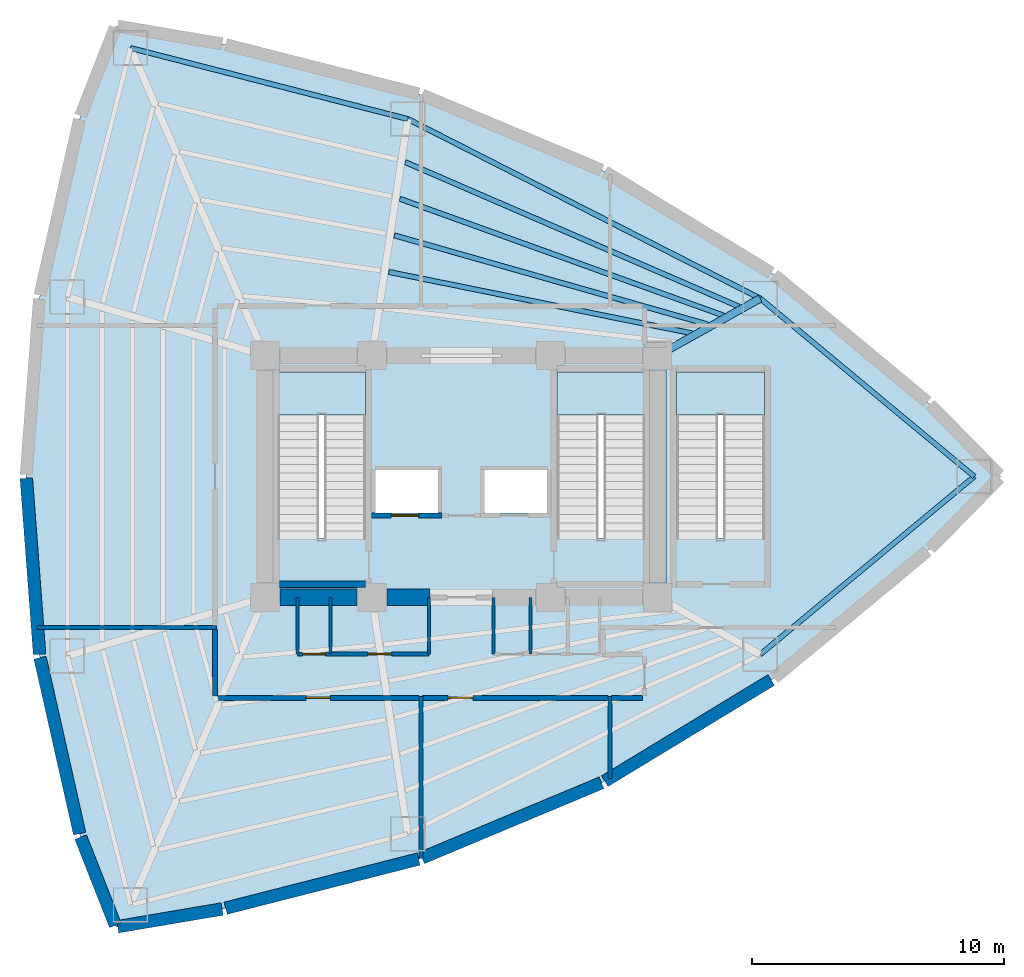
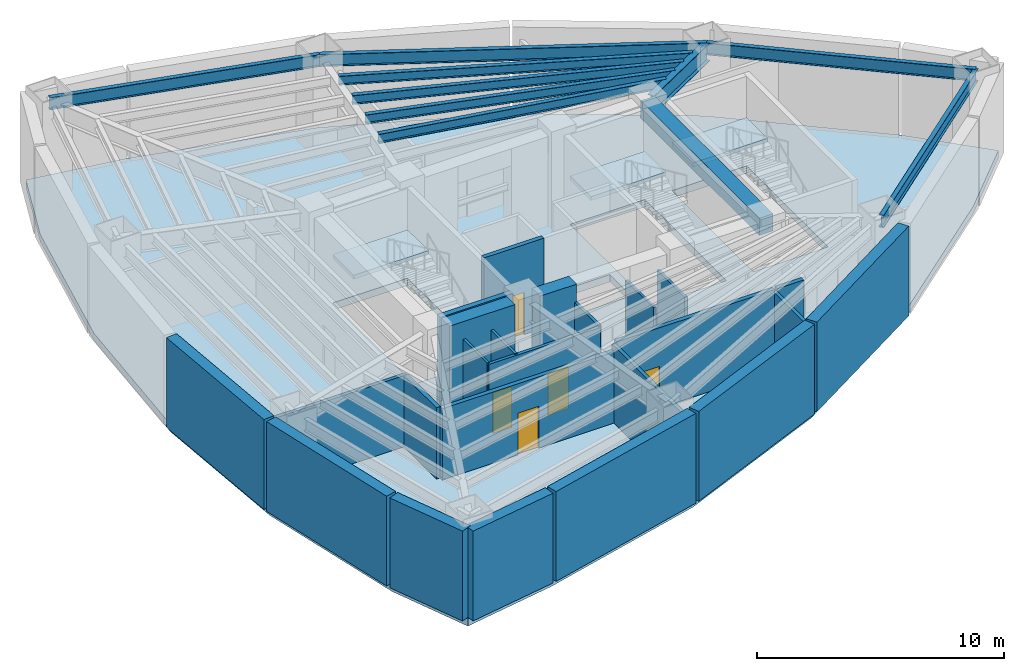
# One storey, part 2 of 5: 24 walls, 10 beams, 5 doors, 4 slabs, 5 openings, 3 elements without a shape of their own.
"""IFC4 building model written with IfcOpenShell, lengths in metres."""

from ifc_helpers import new_model, si_unit, direction, frame, frame_2d, origin, origin_2d, place, context, subcontext, project, spatial, polyline, rectangle, i_section, outline, extrude, material, layer, layer_set, material_profile, profile_set, type_object, element, fill, aggregate, save


model = new_model("IFC4")

# Units and contexts
model_context = context("Model", 3, precision=1e-05, world=origin(), true_north=direction((0.0, 1.0)))
body_context = subcontext(model_context, "Body", "Model", "MODEL_VIEW")
ifc_project = project(units=[si_unit("LENGTHUNIT", "METRE"), si_unit("AREAUNIT", "SQUARE_METRE"), si_unit("VOLUMEUNIT", "CUBIC_METRE"), si_unit("PLANEANGLEUNIT", "RADIAN"), si_unit("MASSUNIT", "GRAM", prefix="KILO")], contexts=[model_context])

# Site, building, storey
site_placement = place(None, origin())
site = spatial("IfcSite", under=ifc_project, at=site_placement, CompositionType="ELEMENT")
building_placement = place(site_placement, origin())
building = spatial("IfcBuilding", under=site, at=building_placement, Name="Menara Vayukalpa", CompositionType="ELEMENT")
storey_placement = place(building_placement, frame((0.0, 0.0, -4.800048828125)))
storey = spatial("IfcBuildingStorey", under=building, at=storey_placement, Name="B01", CompositionType="ELEMENT", Elevation=-4.800048828125)

# Beams
ifc_material_1 = material(Name="Concrete C60/75", Category="concrete")
ifc_material_profile_1 = material_profile(ifc_material_1, rectangle(XDim=0.64990234375, YDim=0.85009765625, at=origin_2d()), Name="RC 650x850")
ifc_profile_set_1 = profile_set([ifc_material_profile_1], Name="Concrete C60/75")
beam_type_1 = type_object("IfcBeamType", Name="BM-CB1", PredefinedType="BEAM", material=ifc_profile_set_1)
beam_1_placement = place(storey_placement, frame((33.39990234375, 17.199951171875, 4.01513671875), z_axis=(0.0, 1.0, 0.0), x_axis=(-1.0, 0.0, 0.0)))
element("IfcBeam", 1, at=beam_1_placement, inside=storey, type_object=beam_type_1, Name="B01 Core Tie Beam CBR8", PredefinedType="BEAM", context=body_context, shape_type="SweptSolid", body=[
    extrude(rectangle(XDim=0.64990234375, YDim=0.85009765625, at=origin_2d()), origin(), (0.0, 0.0, 1.0), 9.60009765625),
])
ifc_material_2 = material(Name="Steel S355", Category="steel")
ifc_material_profile_2 = material_profile(ifc_material_2, i_section(OverallWidth=0.300048828125, OverallDepth=0.89990234375, WebThickness=0.01611328125, FlangeThickness=0.028076171875, at=origin_2d()), Name="WF 900x300x16x28")
ifc_profile_set_2 = profile_set([ifc_material_profile_2], Name="Steel S355")
beam_type_2 = type_object("IfcBeamType", Name="BM-PG1", PredefinedType="BEAM", material=ifc_profile_set_2)
beam_2_placement = place(storey_placement, frame((33.618408203125, 26.921630859375, 3.989990234375), z_axis=(0.873472891879, 0.486872783335, 0.0), x_axis=(-0.486872783335, 0.873472891879, 0.0)))
element("IfcBeam", 2, at=beam_2_placement, inside=storey, type_object=beam_type_2, Name="B01 Primary Radial Girder RG02", PredefinedType="BEAM", context=body_context, shape_type="SweptSolid", body=[
    extrude(i_section(OverallWidth=0.300048828125, OverallDepth=0.89990234375, WebThickness=0.01611328125, FlangeThickness=0.028076171875, at=origin_2d()), origin(), (0.0, 0.0, 1.0), 4.414306640625),
])
ifc_material_3 = material(Name="Steel S355", Category="steel")
ifc_material_profile_3 = material_profile(ifc_material_3, i_section(OverallWidth=0.199951171875, OverallDepth=0.449951171875, WebThickness=0.009033203125, FlangeThickness=0.013916015625, at=origin_2d()), Name="WF 450x200x9x14")
ifc_profile_set_3 = profile_set([ifc_material_profile_3], Name="Steel S355")
beam_type_3 = type_object("IfcBeamType", Name="BM-SJ1", PredefinedType="JOIST", material=ifc_profile_set_3)
beam_3_placement = place(storey_placement, frame((34.7626953125, 27.686279296875, 4.215087890625), z_axis=(-0.980082096832, 0.198592757847, 0.0), x_axis=(-0.198592757847, -0.980082096832, 0.0)))
element("IfcBeam", 3, at=beam_3_placement, inside=storey, type_object=beam_type_3, Name="B01 Secondary Floor Joist SJ02-2", PredefinedType="JOIST", context=body_context, shape_type="SweptSolid", body=[
    extrude(i_section(OverallWidth=0.199951171875, OverallDepth=0.449951171875, WebThickness=0.009033203125, FlangeThickness=0.013916015625, at=origin_2d()), origin(), (0.0, 0.0, 1.0), 12.28125),
])
beam_4_placement = place(storey_placement, frame((35.3828125, 28.042724609375, 4.215087890625), z_axis=(-0.961920522013, 0.273329305656, 0.0), x_axis=(-0.273329305656, -0.961920522013, 0.0)))
element("IfcBeam", 4, at=beam_4_placement, inside=storey, type_object=beam_type_3, Name="B01 Secondary Floor Joist SJ02-3", PredefinedType="JOIST", context=body_context, shape_type="SweptSolid", body=[
    extrude(i_section(OverallWidth=0.199951171875, OverallDepth=0.449951171875, WebThickness=0.009033203125, FlangeThickness=0.013916015625, at=origin_2d()), origin(), (0.0, 0.0, 1.0), 12.93017578125),
])
beam_5_placement = place(storey_placement, frame((36.003173828125, 28.39794921875, 4.215087890625), z_axis=(-0.94065210614, 0.339372384284, 0.0), x_axis=(-0.339372384284, -0.94065210614, 0.0)))
element("IfcBeam", 5, at=beam_5_placement, inside=storey, type_object=beam_type_3, Name="B01 Secondary Floor Joist SJ02-4", PredefinedType="JOIST", context=body_context, shape_type="SweptSolid", body=[
    extrude(i_section(OverallWidth=0.199951171875, OverallDepth=0.449951171875, WebThickness=0.009033203125, FlangeThickness=0.013916015625, at=origin_2d()), origin(), (0.0, 0.0, 1.0), 13.649658203125),
])
beam_6_placement = place(storey_placement, frame((36.6240234375, 28.751708984375, 4.215087890625), z_axis=(-0.91768786967, 0.397302119125, 0.0), x_axis=(-0.397302119125, -0.91768786967, 0.0)))
element("IfcBeam", 6, at=beam_6_placement, inside=storey, type_object=beam_type_3, Name="B01 Secondary Floor Joist SJ02-5", PredefinedType="JOIST", context=body_context, shape_type="SweptSolid", body=[
    extrude(i_section(OverallWidth=0.199951171875, OverallDepth=0.449951171875, WebThickness=0.009033203125, FlangeThickness=0.013916015625, at=origin_2d()), origin(), (0.0, 0.0, 1.0), 14.43017578125),
])
ifc_material_4 = material(Name="Steel S355", Category="steel")
ifc_material_profile_4 = material_profile(ifc_material_4, i_section(OverallWidth=0.199951171875, OverallDepth=0.60009765625, WebThickness=0.010986328125, FlangeThickness=0.01708984375, at=origin_2d()), Name="WF 600x200x11x17")
ifc_profile_set_4 = profile_set([ifc_material_profile_4], Name="Steel S355")
beam_type_4 = type_object("IfcBeamType", Name="BM-SP1", PredefinedType="SPANDREL", material=ifc_profile_set_4)
beam_7_placement = place(storey_placement, frame((45.979248046875, 22.0, 4.14013671875), z_axis=(-0.768967992195, 0.639287280477, 0.0), x_axis=(-0.639287280477, -0.768967992195, 0.0)))
element("IfcBeam", 7, at=beam_7_placement, inside=storey, type_object=beam_type_4, Name="B01 Perimeter Spandrel Beam SP01", PredefinedType="SPANDREL", context=body_context, shape_type="SweptSolid", body=[
    extrude(i_section(OverallWidth=0.199951171875, OverallDepth=0.60009765625, WebThickness=0.010986328125, FlangeThickness=0.01708984375, at=origin_2d()), origin(), (0.0, 0.0, 1.0), 11.060546875),
])
beam_8_placement = place(storey_placement, frame((37.47412109375, 29.07080078125, 4.14013671875), z_axis=(-0.891101872915, 0.453803318726, 0.0), x_axis=(-0.453803318726, -0.891101872915, 0.0)))
element("IfcBeam", 8, at=beam_8_placement, inside=storey, type_object=beam_type_4, Name="B01 Perimeter Spandrel Beam SP02", PredefinedType="SPANDREL", context=body_context, shape_type="SweptSolid", body=[
    extrude(i_section(OverallWidth=0.199951171875, OverallDepth=0.60009765625, WebThickness=0.010986328125, FlangeThickness=0.01708984375, at=origin_2d()), origin(), (0.0, 0.0, 1.0), 15.709228515625),
])
beam_9_placement = place(storey_placement, frame((23.4755859375, 36.19970703125, 4.14013671875), z_axis=(-0.968770804637, 0.247957915953, 0.0), x_axis=(-0.247957915953, -0.968770804637, 0.0)))
element("IfcBeam", 9, at=beam_9_placement, inside=storey, type_object=beam_type_4, Name="B01 Perimeter Spandrel Beam SP03", PredefinedType="SPANDREL", context=body_context, shape_type="SweptSolid", body=[
    extrude(i_section(OverallWidth=0.199951171875, OverallDepth=0.60009765625, WebThickness=0.010986328125, FlangeThickness=0.01708984375, at=origin_2d()), origin(), (0.0, 0.0, 1.0), 11.3701171875),
])
beam_10_placement = place(storey_placement, frame((37.47412109375, 14.92919921875, 4.14013671875), z_axis=(0.768967992195, 0.639287280477, 0.0), x_axis=(-0.639287280477, 0.768967992195, 0.0)))
element("IfcBeam", 10, at=beam_10_placement, inside=storey, type_object=beam_type_4, Name="B01 Perimeter Spandrel Beam SP09", PredefinedType="SPANDREL", context=body_context, shape_type="SweptSolid", body=[
    extrude(i_section(OverallWidth=0.199951171875, OverallDepth=0.60009765625, WebThickness=0.010986328125, FlangeThickness=0.01708984375, at=origin_2d()), origin(), (0.0, 0.0, 1.0), 11.060546875),
])

# Slab
ifc_material_5 = material(Name="Concrete C45/55", Category="concrete")
ifc_layer_1 = layer(ifc_material_5, 0.360107421875)
ifc_layer_set_1 = layer_set([ifc_layer_1], Name="Concrete C45/55")
slab_type_1 = type_object("IfcSlabType", Name="SLB-FL360", PredefinedType="FLOOR", material=ifc_layer_set_1)
slab_1_placement = place(storey_placement, frame((0.0, 0.0, -0.35986328125)))
element("IfcSlab", 11, at=slab_1_placement, inside=storey, type_object=slab_type_1, Name="B01 Structural Floor Slab", PredefinedType="FLOOR", context=body_context, shape_type="SweptSolid", body=[
    extrude(outline(polyline([(44.17041015625, 19.088134765625), (47.029296875, 22.0), (44.17041015625, 24.911865234375), (37.97314453125, 30.051025390625), (31.2412109375, 34.140380859375), (23.974853515625, 37.179931640625), (16.173583984375, 39.169677734375), (11.885498046875, 39.8974609375), (10.4560546875, 36.2578125), (8.85205078125, 29.12890625), (8.3173828125, 22.0), (8.85205078125, 14.87109375), (10.4560546875, 7.7421875), (11.885498046875, 4.1025390625), (16.173583984375, 4.830322265625), (23.974853515625, 6.820068359375), (31.2412109375, 9.859619140625), (37.97314453125, 13.948974609375), (44.17041015625, 19.088134765625)]), holes=[polyline([(21.800048828125, 19.550048828125), (21.800048828125, 26.14990234375), (18.300048828125, 26.14990234375), (18.300048828125, 19.550048828125), (21.800048828125, 19.550048828125)]), polyline([(32.89990234375, 19.550048828125), (32.89990234375, 26.14990234375), (29.39990234375, 26.14990234375), (29.39990234375, 19.550048828125), (32.89990234375, 19.550048828125)]), polyline([(37.64990234375, 19.550048828125), (37.64990234375, 26.14990234375), (34.14990234375, 26.14990234375), (34.14990234375, 19.550048828125), (37.64990234375, 19.550048828125)]), polyline([(22.179931640625, 20.550048828125), (24.679931640625, 20.550048828125), (24.679931640625, 22.27001953125), (22.179931640625, 22.27001953125), (22.179931640625, 20.550048828125)]), polyline([(26.52001953125, 20.550048828125), (29.02001953125, 20.550048828125), (29.02001953125, 22.27001953125), (26.52001953125, 22.27001953125), (26.52001953125, 20.550048828125)])]), origin(), (0.0, 0.0, 1.0), 0.35986328125),
])

# Stair, slab
ifc_material_6 = material(Name="Precast Concrete C40/50", Category="concrete")
stair_type = type_object("IfcStairType", Name="STR-T01", PredefinedType="DOUBLE_RETURN_STAIR", material=ifc_material_6)
stair_1_placement = place(storey_placement, origin())
stair_1 = element("IfcStair", 12, at=stair_1_placement, inside=storey, type_object=stair_type, Name="B01 Core Exit Stair ST-1", PredefinedType="DOUBLE_RETURN_STAIR")
ifc_material_7 = material(Name="Precast Concrete C40/50", Category="concrete")
ifc_layer_2 = layer(ifc_material_7, 0.199951171875)
ifc_layer_set_2 = layer_set([ifc_layer_2], Name="Precast Concrete C40/50")
slab_type_2 = type_object("IfcSlabType", Name="SLB-LND200", PredefinedType="LANDING", material=ifc_layer_set_2)
slab_2_placement = place(storey_placement, frame((0.0, 0.0, 2.199951171875)))
slab_2 = element("IfcSlab", 13, at=slab_2_placement, type_object=slab_type_2, Name="ST-1 landing 1", PredefinedType="LANDING", context=body_context, shape_type="SweptSolid", body=[
    extrude(outline(polyline([(21.800048828125, 24.449951171875), (21.800048828125, 26.14990234375), (18.300048828125, 26.14990234375), (18.300048828125, 24.449951171875), (21.800048828125, 24.449951171875)])), origin(), (0.0, 0.0, 1.0), 0.2001953125),
])
aggregate(stair_1, [slab_2])

stair_2_placement = place(storey_placement, origin())
stair_2 = element("IfcStair", 14, at=stair_2_placement, inside=storey, type_object=stair_type, Name="B01 Core Exit Stair ST-2", PredefinedType="DOUBLE_RETURN_STAIR")
slab_3_placement = place(storey_placement, frame((0.0, 0.0, 2.199951171875)))
slab_3 = element("IfcSlab", 15, at=slab_3_placement, type_object=slab_type_2, Name="ST-2 landing 1", PredefinedType="LANDING", context=body_context, shape_type="SweptSolid", body=[
    extrude(outline(polyline([(32.89990234375, 24.449951171875), (32.89990234375, 26.14990234375), (29.39990234375, 26.14990234375), (29.39990234375, 24.449951171875), (32.89990234375, 24.449951171875)])), origin(), (0.0, 0.0, 1.0), 0.2001953125),
])
aggregate(stair_2, [slab_3])

stair_3_placement = place(storey_placement, origin())
stair_3 = element("IfcStair", 16, at=stair_3_placement, inside=storey, type_object=stair_type, Name="B01 Podium Exit Stair ST-3", PredefinedType="DOUBLE_RETURN_STAIR")
slab_4_placement = place(storey_placement, frame((0.0, 0.0, 2.199951171875)))
slab_4 = element("IfcSlab", 17, at=slab_4_placement, type_object=slab_type_2, Name="ST-3 landing 1", PredefinedType="LANDING", context=body_context, shape_type="SweptSolid", body=[
    extrude(outline(polyline([(37.64990234375, 24.449951171875), (37.64990234375, 26.14990234375), (34.14990234375, 26.14990234375), (34.14990234375, 24.449951171875), (37.64990234375, 24.449951171875)])), origin(), (0.0, 0.0, 1.0), 0.2001953125),
])
aggregate(stair_3, [slab_4])

# Walls
ifc_material_8 = material(Name="Concrete C80/95", Category="concrete")
ifc_layer_3 = layer(ifc_material_8, 0.64990234375)
ifc_layer_set_3 = layer_set([ifc_layer_3], Name="Concrete C80/95")
wall_type_1 = type_object("IfcWallType", Name="WAL-CW650", PredefinedType="SHEAR", material=ifc_layer_set_3)
wall_1_placement = place(storey_placement, frame((18.39501953125, 17.199951171875, 0.0), z_axis=(0.0, 0.0, 1.0), x_axis=(1.0, 0.0, 0.0)))
element("IfcWall", 18, at=wall_1_placement, inside=storey, type_object=wall_type_1, Name="B01 Buttressed Core Shear Wall CWS1", PredefinedType="SHEAR", context=body_context, shape_type="SweptSolid", body=[
    extrude(rectangle(XDim=3.06005859375, YDim=0.64990234375, at=frame_2d((1.530029296875, 0.0))), origin(), (0.0, 0.0, 1.0), 4.43994140625),
])
wall_2_placement = place(storey_placement, frame((22.64501953125, 17.199951171875, 0.0), z_axis=(0.0, 0.0, 1.0), x_axis=(1.0, 0.0, 0.0)))
element("IfcWall", 19, at=wall_2_placement, inside=storey, type_object=wall_type_1, Name="B01 Buttressed Core Shear Wall CWS2", PredefinedType="SHEAR", context=body_context, shape_type="SweptSolid", body=[
    extrude(rectangle(XDim=1.705078125, YDim=0.64990234375, at=frame_2d((0.8525390625, 0.0))), origin(), (0.0, 0.0, 1.0), 4.43994140625),
])
ifc_material_9 = material(Name="Lightweight Concrete Blockwork C16/20", Category="masonry")
ifc_layer_4 = layer(ifc_material_9, 0.159912109375)
ifc_layer_set_4 = layer_set([ifc_layer_4], Name="Lightweight Concrete Blockwork C16/20")
wall_type_2 = type_object("IfcWallType", Name="WAL-FR150", PredefinedType="PARTITIONING", material=ifc_layer_set_4)
wall_3_placement = place(storey_placement, frame((24.0, 6.819580078125, 0.0), z_axis=(0.0, 0.0, 1.0), x_axis=(0.0, 1.0, 0.0)))
element("IfcWall", 20, at=wall_3_placement, inside=storey, type_object=wall_type_2, Name="B01 Interior Partition IW-B01-RDIV01", PredefinedType="PARTITIONING", context=body_context, shape_type="SweptSolid", body=[
    extrude(rectangle(XDim=6.4404296875, YDim=0.159912109375, at=frame_2d((3.22021484375, 0.0))), origin(), (0.0, 0.0, 1.0), 3.820068359375),
])
wall_4_placement = place(storey_placement, frame((31.5, 10.0048828125, 0.0), z_axis=(0.0, 0.0, 1.0), x_axis=(0.0, 1.0, 0.0)))
element("IfcWall", 21, at=wall_4_placement, inside=storey, type_object=wall_type_2, Name="B01 Interior Partition IW-B01-RDIV03", PredefinedType="PARTITIONING", context=body_context, shape_type="SweptSolid", body=[
    extrude(rectangle(XDim=3.255126953125, YDim=0.159912109375, at=frame_2d((1.62744140625, 0.0))), origin(), (0.0, 0.0, 1.0), 3.820068359375),
])
wall_5_placement = place(storey_placement, frame((8.75732421875, 16.0, 0.0), z_axis=(0.0, 0.0, 1.0), x_axis=(1.0, 0.0, 0.0)))
element("IfcWall", 22, at=wall_5_placement, inside=storey, type_object=wall_type_2, Name="B01 Interior Partition IW-B01-RDIV05", PredefinedType="PARTITIONING", context=body_context, shape_type="SweptSolid", body=[
    extrude(rectangle(XDim=7.11279296875, YDim=0.159912109375, at=frame_2d((3.556396484375, 0.0))), origin(), (0.0, 0.0, 1.0), 3.52001953125),
])

# Wall, opening, door
ifc_material_10 = material(Name="Lightweight Concrete Blockwork C16/20", Category="masonry")
ifc_layer_5 = layer(ifc_material_10, 0.199951171875)
ifc_layer_set_5 = layer_set([ifc_layer_5], Name="Lightweight Concrete Blockwork C16/20")
wall_type_3 = type_object("IfcWallType", Name="WAL-FR200", PredefinedType="PARTITIONING", material=ifc_layer_set_5)
wall_6_placement = place(storey_placement, frame((22.030029296875, 20.449951171875, 0.0), z_axis=(0.0, 0.0, 1.0), x_axis=(1.0, 0.0, 0.0)))
wall_6 = element("IfcWall", 23, at=wall_6_placement, inside=storey, type_object=wall_type_3, Name="B01 Interior Partition IW-B01-SH-W1", PredefinedType="PARTITIONING", context=body_context, shape_type="SweptSolid", body=[
    extrude(rectangle(XDim=2.800048828125, YDim=0.199951171875, at=frame_2d((1.39990234375, 0.0))), origin(), (0.0, 0.0, 1.0), 4.43994140625),
])
opening_1_placement = place(wall_6_placement, frame((0.780029296875, 0.0, 0.0)))
opening_1 = element("IfcOpeningElement", 24, at=opening_1_placement, cuts=wall_6, Name="Opening LD1", PredefinedType="OPENING", context=body_context, shape_type="SweptSolid", body=[
    extrude(rectangle(XDim=1.10009765625, YDim=2.080078125, at=frame_2d((0.550048828125, 1.0400390625))), frame((0.0, 0.10986328125, 0.0), z_axis=(0.0, -1.0, 0.0), x_axis=(1.0, 0.0, 0.0)), (0.0, 0.0, 1.0), 0.219970703125),
])
ifc_material_11 = material(Name="Brushed Stainless Steel 316 Lift Door", Category="steel")
door_type_1 = type_object("IfcDoorType", Name="DR-LD110", OperationType="NOTDEFINED", PredefinedType="DOOR", material=ifc_material_11)
door_1_placement = place(opening_1_placement, origin())
door_1 = element("IfcDoor", 25, at=door_1_placement, inside=storey, type_object=door_type_1, Name="B01 Interior Door DR-B01-LD-W1", OperationType="DOUBLE_DOOR_SLIDING", OverallHeight=2.080078125, OverallWidth=1.10009765625, PredefinedType="DOOR", context=body_context, shape_type="SweptSolid", body=[
    extrude(rectangle(XDim=1.10009765625, YDim=2.080078125, at=frame_2d((0.550048828125, 1.0400390625))), frame((0.0, 0.02490234375, 0.0), z_axis=(0.0, -1.0, 0.0), x_axis=(1.0, 0.0, 0.0)), (0.0, 0.0, 1.0), 0.050048828125),
])
fill(opening_1, door_1)

# Wall
wall_7_placement = place(storey_placement, frame((15.820068359375, 15.929931640625, 0.0), z_axis=(0.0, 0.0, 1.0), x_axis=(0.0, -1.0, 0.0)))
element("IfcWall", 26, at=wall_7_placement, inside=storey, type_object=wall_type_3, Name="B01 Interior Partition IW-B01-CRM03-1", PredefinedType="PARTITIONING", context=body_context, shape_type="SweptSolid", body=[
    extrude(rectangle(XDim=2.639892578125, YDim=0.199951171875, at=frame_2d((1.31982421875, 0.0))), origin(), (0.0, 0.0, 1.0), 3.52001953125),
])

# Wall, opening, door
wall_8_placement = place(storey_placement, frame((15.89990234375, 13.2099609375, 0.0), z_axis=(0.0, 0.0, 1.0), x_axis=(1.0, 0.0, 0.0)))
wall_8 = element("IfcWall", 27, at=wall_8_placement, inside=storey, type_object=wall_type_3, Name="B01 Interior Partition IW-B01-CRM03-2", PredefinedType="PARTITIONING", context=body_context, shape_type="SweptSolid", body=[
    extrude(rectangle(XDim=8.030029296875, YDim=0.199951171875, at=frame_2d((4.01513671875, 0.0))), origin(), (0.0, 0.0, 1.0), 3.52001953125),
])
opening_2_placement = place(wall_8_placement, frame((3.52490234375, 0.0, 0.0)))
opening_2 = element("IfcOpeningElement", 28, at=opening_2_placement, cuts=wall_8, Name="Opening ID3", PredefinedType="OPENING", context=body_context, shape_type="SweptSolid", body=[
    extrude(rectangle(XDim=0.97998046875, YDim=2.06005859375, at=frame_2d((0.489990234375, 1.030029296875))), frame((0.0, 0.10986328125, 0.0), z_axis=(0.0, -1.0, 0.0), x_axis=(1.0, 0.0, 0.0)), (0.0, 0.0, 1.0), 0.219970703125),
])
ifc_material_12 = material(Name="Fire-Rated Powder-Coated Steel Door", Category="steel")
door_type_2 = type_object("IfcDoorType", Name="DR-FD60", OperationType="NOTDEFINED", PredefinedType="DOOR", material=ifc_material_12)
door_2_placement = place(opening_2_placement, origin())
door_2 = element("IfcDoor", 29, at=door_2_placement, inside=storey, type_object=door_type_2, Name="B01 Interior Door DR-B01-RM03", OperationType="SINGLE_SWING_LEFT", OverallHeight=2.06005859375, OverallWidth=0.97998046875, PredefinedType="DOOR", context=body_context, shape_type="SweptSolid", body=[
    extrude(rectangle(XDim=0.97998046875, YDim=2.06005859375, at=frame_2d((0.489990234375, 1.030029296875))), frame((0.0, 0.02490234375, 0.0), z_axis=(0.0, -1.0, 0.0), x_axis=(1.0, 0.0, 0.0)), (0.0, 0.0, 1.0), 0.050048828125),
])
fill(opening_2, door_2)

wall_9_placement = place(storey_placement, frame((24.070068359375, 13.2099609375, 0.0), z_axis=(0.0, 0.0, 1.0), x_axis=(1.0, 0.0, 0.0)))
wall_9 = element("IfcWall", 30, at=wall_9_placement, inside=storey, type_object=wall_type_3, Name="B01 Interior Partition IW-B01-CRM04-1", PredefinedType="PARTITIONING", context=body_context, shape_type="SweptSolid", body=[
    extrude(rectangle(XDim=7.35986328125, YDim=0.199951171875, at=frame_2d((3.679931640625, 0.0))), origin(), (0.0, 0.0, 1.0), 3.969970703125),
])
opening_3_placement = place(wall_9_placement, frame((1.007568359375, 0.0, 0.0)))
opening_3 = element("IfcOpeningElement", 31, at=opening_3_placement, cuts=wall_9, Name="Opening ID3", PredefinedType="OPENING", context=body_context, shape_type="SweptSolid", body=[
    extrude(rectangle(XDim=0.97998046875, YDim=2.06005859375, at=frame_2d((0.489990234375, 1.030029296875))), frame((0.0, 0.10986328125, 0.0), z_axis=(0.0, -1.0, 0.0), x_axis=(1.0, 0.0, 0.0)), (0.0, 0.0, 1.0), 0.219970703125),
])
door_3_placement = place(opening_3_placement, origin())
door_3 = element("IfcDoor", 32, at=door_3_placement, inside=storey, type_object=door_type_2, Name="B01 Interior Door DR-B01-RM04", OperationType="SINGLE_SWING_RIGHT", OverallHeight=2.06005859375, OverallWidth=0.97998046875, PredefinedType="DOOR", context=body_context, shape_type="SweptSolid", body=[
    extrude(rectangle(XDim=0.97998046875, YDim=2.06005859375, at=frame_2d((0.489990234375, 1.030029296875))), frame((0.0, 0.02490234375, 0.0), z_axis=(0.0, -1.0, 0.0), x_axis=(1.0, 0.0, 0.0)), (0.0, 0.0, 1.0), 0.050048828125),
])
fill(opening_3, door_3)

# Walls
wall_10_placement = place(storey_placement, frame((31.570068359375, 13.2099609375, 0.0), z_axis=(0.0, 0.0, 1.0), x_axis=(1.0, 0.0, 0.0)))
element("IfcWall", 33, at=wall_10_placement, inside=storey, type_object=wall_type_3, Name="B01 Interior Partition IW-B01-CRM05-1", PredefinedType="PARTITIONING", context=body_context, shape_type="SweptSolid", body=[
    extrude(rectangle(XDim=1.22998046875, YDim=0.199951171875, at=frame_2d((0.614990234375, 0.0))), origin(), (0.0, 0.0, 1.0), 3.969970703125),
])
ifc_material_13 = material(Name="Acoustic Mineral Stud Partition", Category="masonry")
ifc_layer_6 = layer(ifc_material_13, 0.110107421875)
ifc_layer_set_6 = layer_set([ifc_layer_6], Name="Acoustic Mineral Stud Partition")
wall_type_4 = type_object("IfcWallType", Name="WAL-PT110", PredefinedType="PARTITIONING", material=ifc_layer_set_6)
for number, where, z_axis, x_axis, name in (
    (34, (19.10009765625, 14.949951171875, 0.0), (0.0, 0.0, 1.0), (0.0, 1.0, 0.0), "B01 Interior Partition IW-B01-SVCD-01"),
    (35, (26.8798828125, 14.949951171875, 0.0), (0.0, 0.0, 1.0), (0.0, 1.0, 0.0), "B01 Interior Partition IW-B01-SVCD-04"),
):
    element("IfcWall", number, at=place(storey_placement, frame(where, z_axis=z_axis, x_axis=x_axis)), inside=storey, type_object=wall_type_4, Name=name, PredefinedType="PARTITIONING", context=body_context, shape_type="SweptSolid", body=[
        extrude(rectangle(XDim=2.25, YDim=0.110107421875, at=frame_2d((1.125, 0.0))), origin(), (0.0, 0.0, 1.0), 3.570068359375),
    ])
ifc_material_14 = material(Name="Gypsum Drywall Steel Stud Assembly", Category="steel")
ifc_layer_7 = layer(ifc_material_14, 0.125)
ifc_layer_set_7 = layer_set([ifc_layer_7], Name="Gypsum Drywall Steel Stud Assembly")
wall_type_5 = type_object("IfcWallType", Name="WAL-PT125", PredefinedType="PARTITIONING", material=ifc_layer_set_7)
for number, where, z_axis, x_axis, name in (
    (36, (20.39990234375, 14.949951171875, 0.0), (0.0, 0.0, 1.0), (0.0, 1.0, 0.0), "B01 Interior Partition IW-B01-SVCD-02"),
    (37, (24.320068359375, 14.949951171875, 0.0), (0.0, 0.0, 1.0), (0.0, 1.0, 0.0), "B01 Interior Partition IW-B01-SVCD-03"),
    (38, (28.35009765625, 14.949951171875, 0.0), (0.0, 0.0, 1.0), (0.0, 1.0, 0.0), "B01 Interior Partition IW-B01-SVCD-05"),
):
    element("IfcWall", number, at=place(storey_placement, frame(where, z_axis=z_axis, x_axis=x_axis)), inside=storey, type_object=wall_type_5, Name=name, PredefinedType="PARTITIONING", context=body_context, shape_type="SweptSolid", body=[
        extrude(rectangle(XDim=2.25, YDim=0.125, at=frame_2d((1.125, 0.0))), origin(), (0.0, 0.0, 1.0), 3.570068359375),
    ])

# Wall, openings, doors
ifc_material_15 = material(Name="Gypsum Drywall Acoustic Stud Assembly", Category="masonry")
ifc_layer_8 = layer(ifc_material_15, 0.14501953125)
ifc_layer_set_8 = layer_set([ifc_layer_8], Name="Gypsum Drywall Acoustic Stud Assembly")
wall_type_6 = type_object("IfcWallType", Name="WAL-PT150", PredefinedType="PARTITIONING", material=ifc_layer_set_8)
wall_11_placement = place(storey_placement, frame((19.10009765625, 14.949951171875, 0.0), z_axis=(0.0, 0.0, 1.0), x_axis=(1.0, 0.0, 0.0)))
wall_11 = element("IfcWall", 39, at=wall_11_placement, inside=storey, type_object=wall_type_6, Name="B01 Interior Partition IW-B01-SVCS-W", PredefinedType="PARTITIONING", context=body_context, shape_type="SweptSolid", body=[
    extrude(rectangle(XDim=5.219970703125, YDim=0.14501953125, at=frame_2d((2.60986328125, 0.0))), origin(), (0.0, 0.0, 1.0), 3.52001953125),
])
opening_4_placement = place(wall_11_placement, frame((0.199951171875, 0.0, 0.0)))
opening_4 = element("IfcOpeningElement", 40, at=opening_4_placement, cuts=wall_11, Name="Opening ID7", PredefinedType="OPENING", context=body_context, shape_type="SweptSolid", body=[
    extrude(rectangle(XDim=0.89990234375, YDim=2.02001953125, at=frame_2d((0.449951171875, 1.010009765625))), frame((0.0, 0.08251953125, 0.0), z_axis=(0.0, -1.0, 0.0), x_axis=(1.0, 0.0, 0.0)), (0.0, 0.0, 1.0), 0.1650390625),
])
opening_5_placement = place(wall_11_placement, frame((2.784912109375, 0.0, 0.0)))
opening_5 = element("IfcOpeningElement", 41, at=opening_5_placement, cuts=wall_11, Name="Opening ID5", PredefinedType="OPENING", context=body_context, shape_type="SweptSolid", body=[
    extrude(rectangle(XDim=0.949951171875, YDim=2.06005859375, at=frame_2d((0.47509765625, 1.030029296875))), frame((0.0, 0.08251953125, 0.0), z_axis=(0.0, -1.0, 0.0), x_axis=(1.0, 0.0, 0.0)), (0.0, 0.0, 1.0), 0.1650390625),
])
ifc_material_16 = material(Name="Acoustic Hardwood Veneer Timber Door", Category="wood")
door_type_3 = type_object("IfcDoorType", Name="DR-INT95", OperationType="NOTDEFINED", PredefinedType="DOOR", material=ifc_material_16)
door_4_placement = place(opening_5_placement, origin())
door_4 = element("IfcDoor", 42, at=door_4_placement, inside=storey, type_object=door_type_3, Name="B01 Interior Door DR-B01-AWC", OperationType="SINGLE_SWING_RIGHT", OverallHeight=2.06005859375, OverallWidth=0.949951171875, PredefinedType="DOOR", context=body_context, shape_type="SweptSolid", body=[
    extrude(rectangle(XDim=0.949951171875, YDim=2.06005859375, at=frame_2d((0.47509765625, 1.030029296875))), frame((0.0, 0.02490234375, 0.0), z_axis=(0.0, -1.0, 0.0), x_axis=(1.0, 0.0, 0.0)), (0.0, 0.0, 1.0), 0.050048828125),
])
fill(opening_5, door_4)
ifc_material_17 = material(Name="Powder-Coated Steel Riser Access Door", Category="steel")
door_type_4 = type_object("IfcDoorType", Name="DR-RISER", OperationType="NOTDEFINED", PredefinedType="DOOR", material=ifc_material_17)
door_5_placement = place(opening_4_placement, origin())
door_5 = element("IfcDoor", 43, at=door_5_placement, inside=storey, type_object=door_type_4, Name="B01 Interior Door DR-B01-ELR", OperationType="SINGLE_SWING_LEFT", OverallHeight=2.02001953125, OverallWidth=0.89990234375, PredefinedType="DOOR", context=body_context, shape_type="SweptSolid", body=[
    extrude(rectangle(XDim=0.89990234375, YDim=2.02001953125, at=frame_2d((0.449951171875, 1.010009765625))), frame((0.0, 0.02490234375, 0.0), z_axis=(0.0, -1.0, 0.0), x_axis=(1.0, 0.0, 0.0)), (0.0, 0.0, 1.0), 0.050048828125),
])
fill(opening_4, door_5)

# Walls
ifc_material_18 = material(Name="Concrete C50/60", Category="concrete")
ifc_layer_9 = layer(ifc_material_18, 0.5)
ifc_layer_set_9 = layer_set([ifc_layer_9], Name="Concrete C50/60")
wall_type_7 = type_object("IfcWallType", Name="WAL-RW500", PredefinedType="USERDEFINED", material=ifc_layer_set_9)
wall_12_placement = place(storey_placement, frame((8.322509765625, 21.93017578125, 0.0), z_axis=(0.0, 0.0, 1.0), x_axis=(0.074786484424, -0.997199569669, 0.0)))
element("IfcWall", 44, at=wall_12_placement, inside=storey, type_object=wall_type_7, Name="B01 Diaphragm Retaining Wall 11", ObjectType="RETAININGWALL", PredefinedType="USERDEFINED", context=body_context, shape_type="SweptSolid", body=[
    extrude(rectangle(XDim=7.0087890625, YDim=0.5, at=frame_2d((3.50439453125, 0.0))), origin(), (0.0, 0.0, 1.0), 4.43994140625),
])
wall_13_placement = place(storey_placement, frame((8.867431640625, 14.802734375, 0.0), z_axis=(0.0, 0.0, 1.0), x_axis=(0.219512195122, -0.975609756098, 0.0)))
element("IfcWall", 45, at=wall_13_placement, inside=storey, type_object=wall_type_7, Name="B01 Diaphragm Retaining Wall 12", ObjectType="RETAININGWALL", PredefinedType="USERDEFINED", context=body_context, shape_type="SweptSolid", body=[
    extrude(rectangle(XDim=7.1669921875, YDim=0.5, at=frame_2d((3.58349609375, 0.0))), origin(), (0.0, 0.0, 1.0), 4.43994140625),
])
wall_14_placement = place(storey_placement, frame((10.481689453125, 7.677001953125, 0.0), z_axis=(0.0, 0.0, 1.0), x_axis=(0.365544181941, -0.930793989586, 0.0)))
element("IfcWall", 46, at=wall_14_placement, inside=storey, type_object=wall_type_7, Name="B01 Diaphragm Retaining Wall 13", ObjectType="RETAININGWALL", PredefinedType="USERDEFINED", context=body_context, shape_type="SweptSolid", body=[
    extrude(rectangle(XDim=3.770263671875, YDim=0.5, at=frame_2d((1.88525390625, 0.0))), origin(), (0.0, 0.0, 1.0), 4.43994140625),
])
wall_15_placement = place(storey_placement, frame((11.954345703125, 4.1142578125, 0.0), z_axis=(0.0, 0.0, 1.0), x_axis=(0.985902093333, 0.167323227205, 0.0)))
element("IfcWall", 47, at=wall_15_placement, inside=storey, type_object=wall_type_7, Name="B01 Diaphragm Retaining Wall 14", ObjectType="RETAININGWALL", PredefinedType="USERDEFINED", context=body_context, shape_type="SweptSolid", body=[
    extrude(rectangle(XDim=4.20947265625, YDim=0.5, at=frame_2d((2.104736328125, 0.0))), origin(), (0.0, 0.0, 1.0), 4.43994140625),
])
wall_16_placement = place(storey_placement, frame((16.241455078125, 4.84765625, 0.0), z_axis=(0.0, 0.0, 1.0), x_axis=(0.968980634568, 0.247136662259, 0.0)))
element("IfcWall", 48, at=wall_16_placement, inside=storey, type_object=wall_type_7, Name="B01 Diaphragm Retaining Wall 15", ObjectType="RETAININGWALL", PredefinedType="USERDEFINED", context=body_context, shape_type="SweptSolid", body=[
    extrude(rectangle(XDim=7.910888671875, YDim=0.5, at=frame_2d((3.95556640625, 0.0))), origin(), (0.0, 0.0, 1.0), 4.43994140625),
])
for number, where, z_axis, x_axis, name in (
    (49, (24.039306640625, 6.846923828125, 0.0), (0.0, 0.0, 1.0), (0.922541071148, 0.385898914283, 0.0), "B01 Diaphragm Retaining Wall 16"),
    (50, (31.301025390625, 9.895751953125, 0.0), (0.0, 0.0, 1.0), (0.85465950116, 0.519188922337, 0.0), "B01 Diaphragm Retaining Wall 17"),
):
    element("IfcWall", number, at=place(storey_placement, frame(where, z_axis=z_axis, x_axis=x_axis)), inside=storey, type_object=wall_type_7, Name=name, ObjectType="RETAININGWALL", PredefinedType="USERDEFINED", context=body_context, shape_type="SweptSolid", body=[
        extrude(rectangle(XDim=7.73681640625, YDim=0.5, at=frame_2d((3.868408203125, 0.0))), origin(), (0.0, 0.0, 1.0), 4.43994140625),
    ])
ifc_material_19 = material(Name="Concrete C50/60", Category="concrete")
ifc_layer_10 = layer(ifc_material_19, 0.25)
ifc_layer_set_10 = layer_set([ifc_layer_10], Name="Concrete C50/60")
wall_type_8 = type_object("IfcWallType", Name="WAL-SW250", PredefinedType="SHEAR", material=ifc_layer_set_10)
wall_17_placement = place(storey_placement, frame((18.37890625, 17.72509765625, 0.0), z_axis=(0.0, 0.0, 1.0), x_axis=(1.0, 0.0, 0.0)))
element("IfcWall", 51, at=wall_17_placement, inside=storey, type_object=wall_type_8, Name="B01 ST1 Structural Stair Shaft Wall S", PredefinedType="SHEAR", context=body_context, shape_type="SweptSolid", body=[
    extrude(rectangle(XDim=3.421142578125, YDim=0.25, at=frame_2d((1.71044921875, 0.0))), origin(), (0.0, 0.0, 1.0), 4.43994140625),
])

save(model, "model.ifc")
